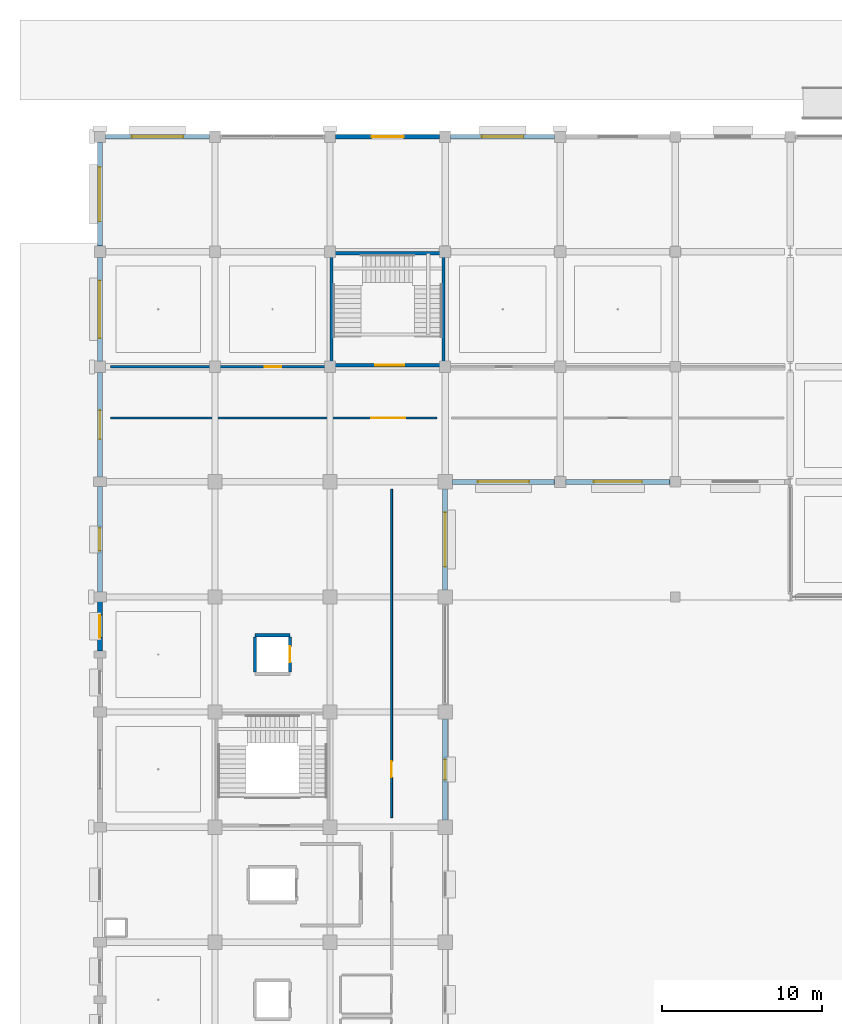
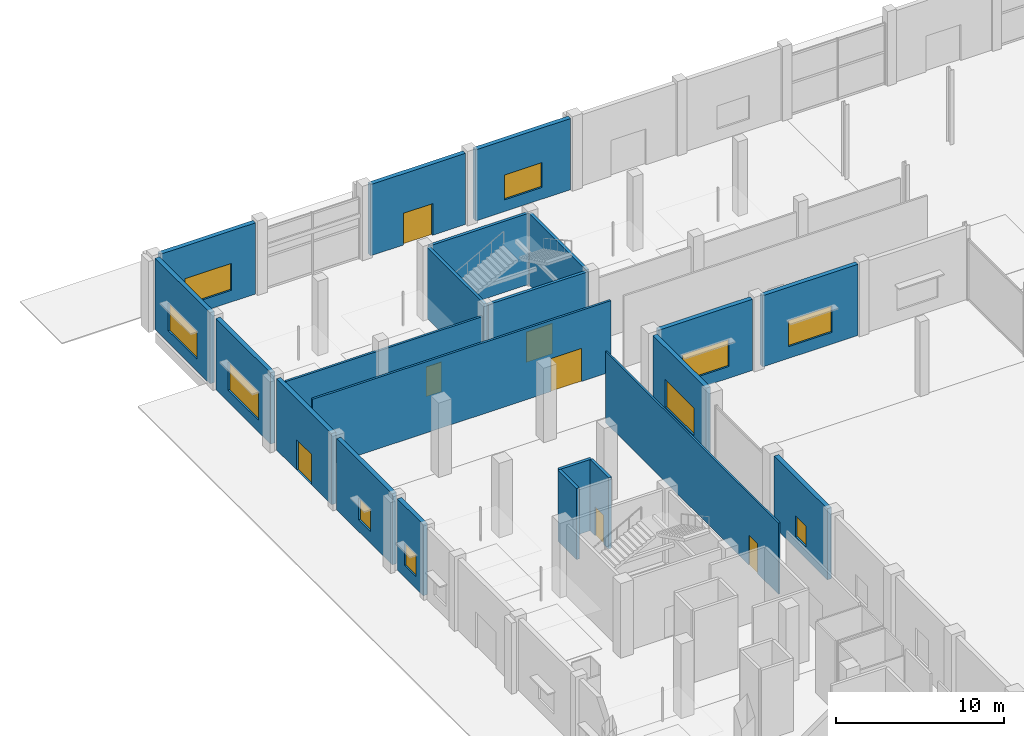
# One storey, part 61 of 90: 22 walls, 10 windows, 7 doors, 17 openings.
"""IFC4 building model written with IfcOpenShell, lengths in metres."""

from ifc_helpers import new_model, si_unit, direction, frame, frame_2d, origin, place, context, subcontext, project, spatial, rectangle, extrude, material, layer, layer_set, type_object, element, fill, save


model = new_model("IFC4")

# Units and contexts
model_context = context("Model", 3, precision=1e-05, world=origin(), true_north=direction((0.0, 1.0)))
body_context = subcontext(model_context, "Body", "Model", "MODEL_VIEW")
ifc_project = project(units=[si_unit("LENGTHUNIT", "METRE"), si_unit("AREAUNIT", "SQUARE_METRE"), si_unit("VOLUMEUNIT", "CUBIC_METRE"), si_unit("PLANEANGLEUNIT", "RADIAN"), si_unit("MASSUNIT", "GRAM", prefix="KILO")], contexts=[model_context])

# Site, building, storey
site_placement = place(None, origin())
site = spatial("IfcSite", under=ifc_project, at=site_placement, CompositionType="ELEMENT")
building_placement = place(site_placement, origin())
building = spatial("IfcBuilding", under=site, at=building_placement, Name="Kangsadwip Square Police Headquarters", CompositionType="ELEMENT")
storey_placement = place(building_placement, origin())
storey = spatial("IfcBuildingStorey", under=building, at=storey_placement, Name="L00", CompositionType="ELEMENT", Elevation=0.0)

# Wall, opening, door
ifc_material_1 = material(Name="Fire-rated double gypsum board acoustic stud partition", Category="masonry")
ifc_layer_1 = layer(ifc_material_1, 0.1201171875)
ifc_layer_set_1 = layer_set([ifc_layer_1], Name="Fire-rated double gypsum board acoustic stud partition")
wall_type_1 = type_object("IfcWallType", Name="AcousticPartition120", PredefinedType="PARTITIONING", material=ifc_layer_set_1)
wall_1_placement = place(storey_placement, frame((18.25, 72.60009765625, 0.0), z_axis=(0.0, 0.0, 1.0), x_axis=(0.0, 1.0, 0.0)))
wall_1 = element("IfcWall", 1, at=wall_1_placement, inside=storey, type_object=wall_type_1, Name="Interior Wall WI-L00-0695", PredefinedType="PARTITIONING", context=body_context, shape_type="SweptSolid", body=[
    extrude(rectangle(XDim=20.5498046875, YDim=0.1201171875, at=frame_2d((10.27490234375, 0.0))), origin(), (0.0, 0.0, 1.0), 5.159912109375),
])
opening_1_placement = place(wall_1_placement, frame((2.50390625, 0.0, 0.0)))
opening_1 = element("IfcOpeningElement", 2, at=opening_1_placement, cuts=wall_1, Name="Opening FD-10C", PredefinedType="OPENING", context=body_context, shape_type="SweptSolid", body=[
    extrude(rectangle(XDim=1.02001953125, YDim=2.14990234375, at=frame_2d((0.510009765625, 1.074951171875))), frame((0.0, 0.070068359375, 0.0), z_axis=(0.0, -1.0, 0.0), x_axis=(1.0, 0.0, 0.0)), (0.0, 0.0, 1.0), 0.14013671875),
])
ifc_material_2 = material(Name="Insulated galvanized steel fire-rated door assembly", Category="steel")
door_type_1 = type_object("IfcDoorType", Name="LabSingleDoor1020x2150", OperationType="NOTDEFINED", PredefinedType="DOOR", material=ifc_material_2)
door_1_placement = place(opening_1_placement, origin())
door_1 = element("IfcDoor", 3, at=door_1_placement, inside=storey, type_object=door_type_1, Name="Interior Door ID-L00-0144", OperationType="SINGLE_SWING_RIGHT", OverallHeight=2.14990234375, OverallWidth=1.02001953125, PredefinedType="DOOR", context=body_context, shape_type="SweptSolid", body=[
    extrude(rectangle(XDim=1.02001953125, YDim=2.14990234375, at=frame_2d((0.510009765625, 1.074951171875))), frame((0.0, 0.02490234375, 0.0), z_axis=(0.0, -1.0, 0.0), x_axis=(1.0, 0.0, 0.0)), (0.0, 0.0, 1.0), 0.050048828125),
])
fill(opening_1, door_1)

ifc_material_3 = material(Name="Autoclaved aerated concrete blockwork masonry", Category="masonry")
ifc_layer_2 = layer(ifc_material_3, 0.14990234375)
ifc_layer_set_2 = layer_set([ifc_layer_2], Name="Autoclaved aerated concrete blockwork masonry")
wall_type_2 = type_object("IfcWallType", Name="BlockPartition150", PredefinedType="PARTITIONING", material=ifc_layer_set_2)
wall_2_placement = place(storey_placement, frame((0.64990234375, 100.800048828125, 0.0), z_axis=(0.0, 0.0, 1.0), x_axis=(1.0, 0.0, 0.0)))
wall_2 = element("IfcWall", 4, at=wall_2_placement, inside=storey, type_object=wall_type_2, Name="Interior Wall WI-L00-0682", PredefinedType="PARTITIONING", context=body_context, shape_type="SweptSolid", body=[
    extrude(rectangle(XDim=13.5, YDim=0.14990234375, at=frame_2d((6.75, 0.0))), origin(), (0.0, 0.0, 1.0), 4.5),
])
opening_2_placement = place(wall_2_placement, frame((9.656982421875, 0.0, 0.0)))
opening_2 = element("IfcOpeningElement", 5, at=opening_2_placement, cuts=wall_2, Name="Opening ID-10A", PredefinedType="OPENING", context=body_context, shape_type="SweptSolid", body=[
    extrude(rectangle(XDim=1.050048828125, YDim=2.14990234375, at=frame_2d((0.52490234375, 1.074951171875))), frame((0.0, 0.0849609375, 0.0), z_axis=(0.0, -1.0, 0.0), x_axis=(1.0, 0.0, 0.0)), (0.0, 0.0, 1.0), 0.169921875),
])
ifc_material_4 = material(Name="Solid-core seasoned teak hardwood architectural door", Category="wood")
door_type_2 = type_object("IfcDoorType", Name="OfficeDoor1050x2150", OperationType="NOTDEFINED", PredefinedType="DOOR", material=ifc_material_4)
door_2_placement = place(opening_2_placement, origin())
door_2 = element("IfcDoor", 6, at=door_2_placement, inside=storey, type_object=door_type_2, Name="Interior Door ID-L00-0133", OperationType="SINGLE_SWING_LEFT", OverallHeight=2.14990234375, OverallWidth=1.050048828125, PredefinedType="DOOR", context=body_context, shape_type="SweptSolid", body=[
    extrude(rectangle(XDim=1.050048828125, YDim=2.14990234375, at=frame_2d((0.52490234375, 1.074951171875))), frame((0.0, 0.02490234375, 0.0), z_axis=(0.0, -1.0, 0.0), x_axis=(1.0, 0.0, 0.0)), (0.0, 0.0, 1.0), 0.050048828125),
])
fill(opening_2, door_2)

wall_3_placement = place(storey_placement, frame((0.64990234375, 97.60009765625, 0.0), z_axis=(0.0, 0.0, 1.0), x_axis=(1.0, 0.0, 0.0)))
wall_3 = element("IfcWall", 7, at=wall_3_placement, inside=storey, type_object=wall_type_2, Name="Interior Wall WI-L00-0684", PredefinedType="PARTITIONING", context=body_context, shape_type="SweptSolid", body=[
    extrude(rectangle(XDim=20.4501953125, YDim=0.14990234375, at=frame_2d((10.22509765625, 0.0))), origin(), (0.0, 0.0, 1.0), 5.159912109375),
])
opening_3_placement = place(wall_3_placement, frame((16.340087890625, 0.0, 0.0)))
opening_3 = element("IfcOpeningElement", 8, at=opening_3_placement, cuts=wall_3, Name="Opening ID-21", PredefinedType="OPENING", context=body_context, shape_type="SweptSolid", body=[
    extrude(rectangle(XDim=2.10009765625, YDim=2.39990234375, at=frame_2d((1.050048828125, 1.199951171875))), frame((0.0, 0.0849609375, 0.0), z_axis=(0.0, -1.0, 0.0), x_axis=(1.0, 0.0, 0.0)), (0.0, 0.0, 1.0), 0.169921875),
])
ifc_material_5 = material(Name="Solid-core seasoned teak hardwood architectural door", Category="wood")
door_type_3 = type_object("IfcDoorType", Name="HallDoubleDoor2100x2400", OperationType="DOUBLE_DOOR_SINGLE_SWING", PredefinedType="DOOR", material=ifc_material_5)
door_3_placement = place(opening_3_placement, origin())
door_3 = element("IfcDoor", 9, at=door_3_placement, inside=storey, type_object=door_type_3, Name="Interior Door ID-L00-0135", OperationType="DOUBLE_DOOR_SINGLE_SWING", OverallHeight=2.39990234375, OverallWidth=2.10009765625, PredefinedType="DOOR", context=body_context, shape_type="SweptSolid", body=[
    extrude(rectangle(XDim=2.10009765625, YDim=2.39990234375, at=frame_2d((1.050048828125, 1.199951171875))), frame((0.0, 0.02490234375, 0.0), z_axis=(0.0, -1.0, 0.0), x_axis=(1.0, 0.0, 0.0)), (0.0, 0.0, 1.0), 0.050048828125),
])
fill(opening_3, door_3)

ifc_material_6 = material(Name="Concrete M40 (40 MPa)", Category="concrete")
ifc_layer_3 = layer(ifc_material_6, 0.199951171875)
ifc_layer_set_3 = layer_set([ifc_layer_3], Name="Concrete M40 (40 MPa)")
wall_type_3 = type_object("IfcWallType", Name="CoreShearWall200", PredefinedType="SHEAR", material=ifc_layer_set_3)
wall_4_placement = place(storey_placement, frame((14.60009765625, 100.89990234375, 0.0), z_axis=(0.0, 0.0, 1.0), x_axis=(1.0, 0.0, 0.0)))
wall_4 = element("IfcWall", 10, at=wall_4_placement, inside=storey, type_object=wall_type_3, Name="Interior Wall WI-L00-0201", PredefinedType="SHEAR", context=body_context, shape_type="SweptSolid", body=[
    extrude(rectangle(XDim=6.7998046875, YDim=0.199951171875, at=frame_2d((3.39990234375, 0.0))), origin(), (0.0, 0.0, 1.0), 5.159912109375),
])
opening_4_placement = place(wall_4_placement, frame((2.632080078125, 0.0, 0.0)))
opening_4 = element("IfcOpeningElement", 11, at=opening_4_placement, cuts=wall_4, Name="Opening FD-18", PredefinedType="OPENING", context=body_context, shape_type="SweptSolid", body=[
    extrude(rectangle(XDim=1.800048828125, YDim=2.199951171875, at=frame_2d((0.89990234375, 1.10009765625))), frame((0.0, 0.10986328125, 0.0), z_axis=(0.0, -1.0, 0.0), x_axis=(1.0, 0.0, 0.0)), (0.0, 0.0, 1.0), 0.219970703125),
])
ifc_material_7 = material(Name="Insulated galvanized steel fire-rated door assembly", Category="steel")
door_type_4 = type_object("IfcDoorType", Name="StairFireDoor1800x2200", OperationType="DOUBLE_DOOR_SINGLE_SWING", PredefinedType="DOOR", material=ifc_material_7)
door_4_placement = place(opening_4_placement, origin())
door_4 = element("IfcDoor", 12, at=door_4_placement, inside=storey, type_object=door_type_4, Name="Interior Door ID-L00-0046", OperationType="DOUBLE_DOOR_SINGLE_SWING", OverallHeight=2.199951171875, OverallWidth=1.800048828125, PredefinedType="DOOR", context=body_context, shape_type="SweptSolid", body=[
    extrude(rectangle(XDim=1.800048828125, YDim=2.199951171875, at=frame_2d((0.89990234375, 1.10009765625))), frame((0.0, 0.02490234375, 0.0), z_axis=(0.0, -1.0, 0.0), x_axis=(1.0, 0.0, 0.0)), (0.0, 0.0, 1.0), 0.050048828125),
])
fill(opening_4, door_4)

# Walls
wall_5_placement = place(storey_placement, frame((14.60009765625, 107.89990234375, 0.0), z_axis=(0.0, 0.0, 1.0), x_axis=(1.0, 0.0, 0.0)))
element("IfcWall", 13, at=wall_5_placement, inside=storey, type_object=wall_type_3, Name="Interior Wall WI-L00-0202", PredefinedType="SHEAR", context=body_context, shape_type="SweptSolid", body=[
    extrude(rectangle(XDim=6.7998046875, YDim=0.199951171875, at=frame_2d((3.39990234375, 0.0))), origin(), (0.0, 0.0, 1.0), 5.159912109375),
])
for number, where, z_axis, x_axis, name in (
    (14, (14.5, 101.0, 0.0), (0.0, 0.0, 1.0), (0.0, 1.0, 0.0), "Interior Wall WI-L00-0203"),
    (15, (21.5, 101.0, 0.0), (0.0, 0.0, 1.0), (0.0, 1.0, 0.0), "Interior Wall WI-L00-0204"),
):
    element("IfcWall", number, at=place(storey_placement, frame(where, z_axis=z_axis, x_axis=x_axis)), inside=storey, type_object=wall_type_3, Name=name, PredefinedType="SHEAR", context=body_context, shape_type="SweptSolid", body=[
        extrude(rectangle(XDim=6.800048828125, YDim=0.199951171875, at=frame_2d((3.39990234375, 0.0))), origin(), (0.0, 0.0, 1.0), 5.159912109375),
    ])
for number, where, z_axis, x_axis, name in (
    (16, (9.699951171875, 84.0, 0.0), (0.0, 0.0, 1.0), (1.0, 0.0, 0.0), "Interior Wall WI-L00-0392"),
    (17, (9.699951171875, 81.699951171875, 0.0), (0.0, 0.0, 1.0), (0.0, 1.0, 0.0), "Interior Wall WI-L00-0393"),
):
    element("IfcWall", number, at=place(storey_placement, frame(where, z_axis=z_axis, x_axis=x_axis)), inside=storey, type_object=wall_type_3, Name=name, PredefinedType="SHEAR", context=body_context, shape_type="SweptSolid", body=[
        extrude(rectangle(XDim=2.199951171875, YDim=0.199951171875, at=frame_2d((1.10009765625, 0.0))), origin(), (0.0, 0.0, 1.0), 5.159912109375),
    ])

# Wall, opening, door
wall_6_placement = place(storey_placement, frame((11.89990234375, 81.699951171875, 0.0), z_axis=(0.0, 0.0, 1.0), x_axis=(0.0, 1.0, 0.0)))
wall_6 = element("IfcWall", 18, at=wall_6_placement, inside=storey, type_object=wall_type_3, Name="Interior Wall WI-L00-0394", PredefinedType="SHEAR", context=body_context, shape_type="SweptSolid", body=[
    extrude(rectangle(XDim=2.199951171875, YDim=0.199951171875, at=frame_2d((1.10009765625, 0.0))), origin(), (0.0, 0.0, 1.0), 5.159912109375),
])
opening_5_placement = place(wall_6_placement, frame((0.60009765625, 0.0, 0.0)))
opening_5 = element("IfcOpeningElement", 19, at=opening_5_placement, cuts=wall_6, Name="Opening LD-037", PredefinedType="OPENING", context=body_context, shape_type="SweptSolid", body=[
    extrude(rectangle(XDim=1.0, YDim=2.10009765625, at=frame_2d((0.5, 1.050048828125))), frame((0.0, 0.10986328125, 0.0), z_axis=(0.0, -1.0, 0.0), x_axis=(1.0, 0.0, 0.0)), (0.0, 0.0, 1.0), 0.219970703125),
])
ifc_material_8 = material(Name="Brushed stainless steel automatic sliding lift landing door", Category="steel")
door_type_5 = type_object("IfcDoorType", Name="LiftLandingDoor1000x2100", OperationType="DOUBLE_DOOR_SLIDING", PredefinedType="DOOR", material=ifc_material_8)
door_5_placement = place(opening_5_placement, origin())
door_5 = element("IfcDoor", 20, at=door_5_placement, inside=storey, type_object=door_type_5, Name="Interior Door LD-037", OperationType="DOUBLE_DOOR_SLIDING", OverallHeight=2.10009765625, OverallWidth=1.0, PredefinedType="DOOR", context=body_context, shape_type="SweptSolid", body=[
    extrude(rectangle(XDim=1.0, YDim=2.10009765625, at=frame_2d((0.5, 1.050048828125))), frame((0.0, 0.02490234375, 0.0), z_axis=(0.0, -1.0, 0.0), x_axis=(1.0, 0.0, 0.0)), (0.0, 0.0, 1.0), 0.050048828125),
])
fill(opening_5, door_5)

# Wall, opening, window
ifc_material_9 = material(Name="Glazed architectural terracotta masonry rainscreen", Category="masonry")
ifc_layer_4 = layer(ifc_material_9, 0.300048828125)
ifc_layer_set_4 = layer_set([ifc_layer_4], Name="Glazed architectural terracotta masonry rainscreen")
wall_type_4 = type_object("IfcWallType", Name="PlinthArcadeWall300", PredefinedType="SOLIDWALL", material=ifc_layer_set_4)
wall_7_placement = place(storey_placement, frame((22.044921875, 93.60009765625, 0.0), z_axis=(0.0, 0.0, 1.0), x_axis=(1.0, 0.0, 0.0)))
wall_7 = element("IfcWall", 21, at=wall_7_placement, inside=storey, type_object=wall_type_4, Name="Exterior Wall WE-L00-148", PredefinedType="SOLIDWALL", context=body_context, shape_type="SweptSolid", body=[
    extrude(rectangle(XDim=6.41015625, YDim=0.300048828125, at=frame_2d((3.205078125, 0.0))), origin(), (0.0, 0.0, 1.0), 5.159912109375),
])
opening_6_placement = place(wall_7_placement, frame((1.60498046875, 0.0, 0.85009765625)))
opening_6 = element("IfcOpeningElement", 22, at=opening_6_placement, cuts=wall_7, Name="Opening WN-03", PredefinedType="OPENING", context=body_context, shape_type="SweptSolid", body=[
    extrude(rectangle(XDim=3.199951171875, YDim=1.949951171875, at=frame_2d((1.60009765625, 0.97509765625))), frame((0.0, 0.159912109375, 0.0), z_axis=(0.0, -1.0, 0.0), x_axis=(1.0, 0.0, 0.0)), (0.0, 0.0, 1.0), 0.320068359375),
])
ifc_material_10 = material(Name="Double-glazed solar-control low-E safety glass", Category="glass")
window_type_1 = type_object("IfcWindowType", Name="ChicagoTripartiteWin3200x1950", PartitioningType="TRIPLE_PANEL_HORIZONTAL", PredefinedType="WINDOW", material=ifc_material_10)
window_1_placement = place(opening_6_placement, origin())
window_1 = element("IfcWindow", 23, at=window_1_placement, inside=storey, type_object=window_type_1, Name="Window WN-L00-0016", OverallHeight=1.949951171875, OverallWidth=3.199951171875, PartitioningType="SINGLE_PANEL", PredefinedType="WINDOW", context=body_context, shape_type="SweptSolid", body=[
    extrude(rectangle(XDim=3.199951171875, YDim=1.949951171875, at=frame_2d((1.60009765625, 0.97509765625))), frame((0.0, 0.030029296875, 0.0), z_axis=(0.0, -1.0, 0.0), x_axis=(1.0, 0.0, 0.0)), (0.0, 0.0, 1.0), 0.06005859375),
])
fill(opening_6, window_1)

wall_8_placement = place(storey_placement, frame((29.14501953125, 93.60009765625, 0.0), z_axis=(0.0, 0.0, 1.0), x_axis=(1.0, 0.0, 0.0)))
wall_8 = element("IfcWall", 24, at=wall_8_placement, inside=storey, type_object=wall_type_4, Name="Exterior Wall WE-L00-149", PredefinedType="SOLIDWALL", context=body_context, shape_type="SweptSolid", body=[
    extrude(rectangle(XDim=6.534912109375, YDim=0.300048828125, at=frame_2d((3.267578125, 0.0))), origin(), (0.0, 0.0, 1.0), 5.159912109375),
])
opening_7_placement = place(wall_8_placement, frame((1.767578125, 0.0, 0.85009765625)))
opening_7 = element("IfcOpeningElement", 25, at=opening_7_placement, cuts=wall_8, Name="Opening WN-04", PredefinedType="OPENING", context=body_context, shape_type="SweptSolid", body=[
    extrude(rectangle(XDim=3.0, YDim=1.89990234375, at=frame_2d((1.5, 0.949951171875))), frame((0.0, 0.159912109375, 0.0), z_axis=(0.0, -1.0, 0.0), x_axis=(1.0, 0.0, 0.0)), (0.0, 0.0, 1.0), 0.320068359375),
])
ifc_material_11 = material(Name="Double-glazed solar-control low-E safety glass", Category="glass")
window_type_2 = type_object("IfcWindowType", Name="ChicagoTripartiteWin3000x1900", PartitioningType="TRIPLE_PANEL_HORIZONTAL", PredefinedType="WINDOW", material=ifc_material_11)
window_2_placement = place(opening_7_placement, origin())
window_2 = element("IfcWindow", 26, at=window_2_placement, inside=storey, type_object=window_type_2, Name="Window WN-L00-0017", OverallHeight=1.89990234375, OverallWidth=3.0, PartitioningType="SINGLE_PANEL", PredefinedType="WINDOW", context=body_context, shape_type="SweptSolid", body=[
    extrude(rectangle(XDim=3.0, YDim=1.89990234375, at=frame_2d((1.5, 0.949951171875))), frame((0.0, 0.030029296875, 0.0), z_axis=(0.0, -1.0, 0.0), x_axis=(1.0, 0.0, 0.0)), (0.0, 0.0, 1.0), 0.06005859375),
])
fill(opening_7, window_2)

wall_9_placement = place(storey_placement, frame((0.344970703125, 115.199951171875, 0.0), z_axis=(0.0, 0.0, 1.0), x_axis=(1.0, 0.0, 0.0)))
wall_9 = element("IfcWall", 27, at=wall_9_placement, inside=storey, type_object=wall_type_4, Name="Exterior Wall WE-L00-151", PredefinedType="SOLIDWALL", context=body_context, shape_type="SweptSolid", body=[
    extrude(rectangle(XDim=6.510009765625, YDim=0.300048828125, at=frame_2d((3.2548828125, 0.0))), origin(), (0.0, 0.0, 1.0), 5.159912109375),
])
opening_8_placement = place(wall_9_placement, frame((1.655029296875, 0.0, 0.85009765625)))
opening_8 = element("IfcOpeningElement", 28, at=opening_8_placement, cuts=wall_9, Name="Opening WN-03", PredefinedType="OPENING", context=body_context, shape_type="SweptSolid", body=[
    extrude(rectangle(XDim=3.199951171875, YDim=1.949951171875, at=frame_2d((1.60009765625, 0.97509765625))), frame((0.0, 0.159912109375, 0.0), z_axis=(0.0, -1.0, 0.0), x_axis=(1.0, 0.0, 0.0)), (0.0, 0.0, 1.0), 0.320068359375),
])
window_3_placement = place(opening_8_placement, origin())
window_3 = element("IfcWindow", 29, at=window_3_placement, inside=storey, type_object=window_type_1, Name="Window WN-L00-0019", OverallHeight=1.949951171875, OverallWidth=3.199951171875, PartitioningType="SINGLE_PANEL", PredefinedType="WINDOW", context=body_context, shape_type="SweptSolid", body=[
    extrude(rectangle(XDim=3.199951171875, YDim=1.949951171875, at=frame_2d((1.60009765625, 0.97509765625))), frame((0.0, 0.030029296875, 0.0), z_axis=(0.0, -1.0, 0.0), x_axis=(1.0, 0.0, 0.0)), (0.0, 0.0, 1.0), 0.06005859375),
])
fill(opening_8, window_3)

# Wall, opening, door
wall_10_placement = place(storey_placement, frame((14.7451171875, 115.199951171875, 0.0), z_axis=(0.0, 0.0, 1.0), x_axis=(1.0, 0.0, 0.0)))
wall_10 = element("IfcWall", 30, at=wall_10_placement, inside=storey, type_object=wall_type_4, Name="Exterior Wall WE-L00-152", PredefinedType="SOLIDWALL", context=body_context, shape_type="SweptSolid", body=[
    extrude(rectangle(XDim=6.509765625, YDim=0.300048828125, at=frame_2d((3.2548828125, 0.0))), origin(), (0.0, 0.0, 1.0), 5.159912109375),
])
opening_9_placement = place(wall_10_placement, frame((2.2548828125, 0.0, 0.0)))
opening_9 = element("IfcOpeningElement", 31, at=opening_9_placement, cuts=wall_10, Name="Opening ED-07", PredefinedType="OPENING", context=body_context, shape_type="SweptSolid", body=[
    extrude(rectangle(XDim=2.0, YDim=2.300048828125, at=frame_2d((1.0, 1.14990234375))), frame((0.0, 0.159912109375, 0.0), z_axis=(0.0, -1.0, 0.0), x_axis=(1.0, 0.0, 0.0)), (0.0, 0.0, 1.0), 0.320068359375),
])
ifc_material_12 = material(Name="Galvanized hollow-metal architectural steel door assembly", Category="steel")
door_type_6 = type_object("IfcDoorType", Name="FinalExitDoubleDoor2000x2300", OperationType="DOUBLE_DOOR_SINGLE_SWING", PredefinedType="DOOR", material=ifc_material_12)
door_6_placement = place(opening_9_placement, origin())
door_6 = element("IfcDoor", 32, at=door_6_placement, inside=storey, type_object=door_type_6, Name="Exterior Door ED-07", OperationType="DOUBLE_DOOR_SINGLE_SWING", OverallHeight=2.300048828125, OverallWidth=2.0, PredefinedType="DOOR", context=body_context, shape_type="SweptSolid", body=[
    extrude(rectangle(XDim=2.0, YDim=2.300048828125, at=frame_2d((1.0, 1.14990234375))), frame((0.0, 0.02490234375, 0.0), z_axis=(0.0, -1.0, 0.0), x_axis=(1.0, 0.0, 0.0)), (0.0, 0.0, 1.0), 0.050048828125),
])
fill(opening_9, door_6)

# Wall, opening, window
wall_11_placement = place(storey_placement, frame((21.945068359375, 115.199951171875, 0.0), z_axis=(0.0, 0.0, 1.0), x_axis=(1.0, 0.0, 0.0)))
wall_11 = element("IfcWall", 33, at=wall_11_placement, inside=storey, type_object=wall_type_4, Name="Exterior Wall WE-L00-153", PredefinedType="SOLIDWALL", context=body_context, shape_type="SweptSolid", body=[
    extrude(rectangle(XDim=6.510009765625, YDim=0.300048828125, at=frame_2d((3.2548828125, 0.0))), origin(), (0.0, 0.0, 1.0), 5.159912109375),
])
opening_10_placement = place(wall_11_placement, frame((1.955078125, 0.0, 0.85009765625)))
opening_10 = element("IfcOpeningElement", 34, at=opening_10_placement, cuts=wall_11, Name="Opening WN-06", PredefinedType="OPENING", context=body_context, shape_type="SweptSolid", body=[
    extrude(rectangle(XDim=2.60009765625, YDim=1.800048828125, at=frame_2d((1.300048828125, 0.89990234375))), frame((0.0, 0.159912109375, 0.0), z_axis=(0.0, -1.0, 0.0), x_axis=(1.0, 0.0, 0.0)), (0.0, 0.0, 1.0), 0.320068359375),
])
ifc_material_13 = material(Name="Double-glazed solar-control low-E safety glass", Category="glass")
window_type_3 = type_object("IfcWindowType", Name="ChicagoDoubleMullWin2600x1800", PartitioningType="DOUBLE_PANEL_VERTICAL", PredefinedType="WINDOW", material=ifc_material_13)
window_4_placement = place(opening_10_placement, origin())
window_4 = element("IfcWindow", 35, at=window_4_placement, inside=storey, type_object=window_type_3, Name="Window WN-L00-0020", OverallHeight=1.800048828125, OverallWidth=2.60009765625, PartitioningType="SINGLE_PANEL", PredefinedType="WINDOW", context=body_context, shape_type="SweptSolid", body=[
    extrude(rectangle(XDim=2.60009765625, YDim=1.800048828125, at=frame_2d((1.300048828125, 0.89990234375))), frame((0.0, 0.030029296875, 0.0), z_axis=(0.0, -1.0, 0.0), x_axis=(1.0, 0.0, 0.0)), (0.0, 0.0, 1.0), 0.06005859375),
])
fill(opening_10, window_4)

wall_12_placement = place(storey_placement, frame((0.0, 83.02001953125, 0.0), z_axis=(0.0, 0.0, 1.0), x_axis=(0.0, 1.0, 0.0)))
wall_12 = element("IfcWall", 36, at=wall_12_placement, inside=storey, type_object=wall_type_4, Name="Exterior Wall WE-L00-177", PredefinedType="SOLIDWALL", context=body_context, shape_type="SweptSolid", body=[
    extrude(rectangle(XDim=3.0849609375, YDim=0.300048828125, at=frame_2d((1.54248046875, 0.0))), origin(), (0.0, 0.0, 1.0), 5.159912109375),
])
opening_11_placement = place(wall_12_placement, frame((0.842529296875, 0.0, 0.85009765625)))
opening_11 = element("IfcOpeningElement", 37, at=opening_11_placement, cuts=wall_12, Name="Opening WN-13", PredefinedType="OPENING", context=body_context, shape_type="SweptSolid", body=[
    extrude(rectangle(XDim=1.39990234375, YDim=1.60009765625, at=frame_2d((0.699951171875, 0.800048828125))), frame((0.0, 0.159912109375, 0.0), z_axis=(0.0, -1.0, 0.0), x_axis=(1.0, 0.0, 0.0)), (0.0, 0.0, 1.0), 0.320068359375),
])
ifc_material_14 = material(Name="Double-glazed solar-control low-E safety glass", Category="glass")
window_type_4 = type_object("IfcWindowType", Name="OfficeCasementWin1400x1600", PartitioningType="SINGLE_PANEL", PredefinedType="WINDOW", material=ifc_material_14)
window_5_placement = place(opening_11_placement, origin())
window_5 = element("IfcWindow", 38, at=window_5_placement, inside=storey, type_object=window_type_4, Name="Window WN-L00-0034", OverallHeight=1.60009765625, OverallWidth=1.39990234375, PartitioningType="SINGLE_PANEL", PredefinedType="WINDOW", context=body_context, shape_type="SweptSolid", body=[
    extrude(rectangle(XDim=1.39990234375, YDim=1.60009765625, at=frame_2d((0.699951171875, 0.800048828125))), frame((0.0, 0.030029296875, 0.0), z_axis=(0.0, -1.0, 0.0), x_axis=(1.0, 0.0, 0.0)), (0.0, 0.0, 1.0), 0.06005859375),
])
fill(opening_11, window_5)

wall_13_placement = place(storey_placement, frame((0.0, 86.695068359375, 0.0), z_axis=(0.0, 0.0, 1.0), x_axis=(0.0, 1.0, 0.0)))
wall_13 = element("IfcWall", 39, at=wall_13_placement, inside=storey, type_object=wall_type_4, Name="Exterior Wall WE-L00-178", PredefinedType="SOLIDWALL", context=body_context, shape_type="SweptSolid", body=[
    extrude(rectangle(XDim=6.60986328125, YDim=0.300048828125, at=frame_2d((3.304931640625, 0.0))), origin(), (0.0, 0.0, 1.0), 5.159912109375),
])
opening_12_placement = place(wall_13_placement, frame((2.60498046875, 0.0, 0.85009765625)))
opening_12 = element("IfcOpeningElement", 40, at=opening_12_placement, cuts=wall_13, Name="Opening WN-13", PredefinedType="OPENING", context=body_context, shape_type="SweptSolid", body=[
    extrude(rectangle(XDim=1.39990234375, YDim=1.60009765625, at=frame_2d((0.699951171875, 0.800048828125))), frame((0.0, 0.159912109375, 0.0), z_axis=(0.0, -1.0, 0.0), x_axis=(1.0, 0.0, 0.0)), (0.0, 0.0, 1.0), 0.320068359375),
])
window_6_placement = place(opening_12_placement, origin())
window_6 = element("IfcWindow", 41, at=window_6_placement, inside=storey, type_object=window_type_4, Name="Window WN-L00-0035", OverallHeight=1.60009765625, OverallWidth=1.39990234375, PartitioningType="SINGLE_PANEL", PredefinedType="WINDOW", context=body_context, shape_type="SweptSolid", body=[
    extrude(rectangle(XDim=1.39990234375, YDim=1.60009765625, at=frame_2d((0.699951171875, 0.800048828125))), frame((0.0, 0.030029296875, 0.0), z_axis=(0.0, -1.0, 0.0), x_axis=(1.0, 0.0, 0.0)), (0.0, 0.0, 1.0), 0.06005859375),
])
fill(opening_12, window_6)

# Wall, opening, door
wall_14_placement = place(storey_placement, frame((0.0, 93.89501953125, 0.0), z_axis=(0.0, 0.0, 1.0), x_axis=(0.0, 1.0, 0.0)))
wall_14 = element("IfcWall", 42, at=wall_14_placement, inside=storey, type_object=wall_type_4, Name="Exterior Wall WE-L00-179", PredefinedType="SOLIDWALL", context=body_context, shape_type="SweptSolid", body=[
    extrude(rectangle(XDim=6.56005859375, YDim=0.300048828125, at=frame_2d((3.280029296875, 0.0))), origin(), (0.0, 0.0, 1.0), 5.159912109375),
])
opening_13_placement = place(wall_14_placement, frame((2.3798828125, 0.0, 0.0)))
opening_13 = element("IfcOpeningElement", 43, at=opening_13_placement, cuts=wall_14, Name="Opening ED-16", PredefinedType="OPENING", context=body_context, shape_type="SweptSolid", body=[
    extrude(rectangle(XDim=1.800048828125, YDim=2.199951171875, at=frame_2d((0.89990234375, 1.10009765625))), frame((0.0, 0.159912109375, 0.0), z_axis=(0.0, -1.0, 0.0), x_axis=(1.0, 0.0, 0.0)), (0.0, 0.0, 1.0), 0.320068359375),
])
ifc_material_15 = material(Name="Galvanized hollow-metal architectural steel door assembly", Category="steel")
door_type_7 = type_object("IfcDoorType", Name="FinalExitDoubleDoor1800x2200", OperationType="DOUBLE_DOOR_SINGLE_SWING", PredefinedType="DOOR", material=ifc_material_15)
door_7_placement = place(opening_13_placement, origin())
door_7 = element("IfcDoor", 44, at=door_7_placement, inside=storey, type_object=door_type_7, Name="Exterior Door ED-16", OperationType="DOUBLE_DOOR_SINGLE_SWING", OverallHeight=2.199951171875, OverallWidth=1.800048828125, PredefinedType="DOOR", context=body_context, shape_type="SweptSolid", body=[
    extrude(rectangle(XDim=1.800048828125, YDim=2.199951171875, at=frame_2d((0.89990234375, 1.10009765625))), frame((0.0, 0.02490234375, 0.0), z_axis=(0.0, -1.0, 0.0), x_axis=(1.0, 0.0, 0.0)), (0.0, 0.0, 1.0), 0.050048828125),
])
fill(opening_13, door_7)

# Wall, opening, window
wall_15_placement = place(storey_placement, frame((0.0, 101.14501953125, 0.0), z_axis=(0.0, 0.0, 1.0), x_axis=(0.0, 1.0, 0.0)))
wall_15 = element("IfcWall", 45, at=wall_15_placement, inside=storey, type_object=wall_type_4, Name="Exterior Wall WE-L00-180", PredefinedType="SOLIDWALL", context=body_context, shape_type="SweptSolid", body=[
    extrude(rectangle(XDim=6.510009765625, YDim=0.300048828125, at=frame_2d((3.2548828125, 0.0))), origin(), (0.0, 0.0, 1.0), 5.159912109375),
])
opening_14_placement = place(wall_15_placement, frame((1.455078125, 0.0, 0.85009765625)))
opening_14 = element("IfcOpeningElement", 46, at=opening_14_placement, cuts=wall_15, Name="Opening WN-01", PredefinedType="OPENING", context=body_context, shape_type="SweptSolid", body=[
    extrude(rectangle(XDim=3.60009765625, YDim=2.050048828125, at=frame_2d((1.800048828125, 1.02490234375))), frame((0.0, 0.159912109375, 0.0), z_axis=(0.0, -1.0, 0.0), x_axis=(1.0, 0.0, 0.0)), (0.0, 0.0, 1.0), 0.320068359375),
])
ifc_material_16 = material(Name="Double-glazed solar-control low-E safety glass", Category="glass")
window_type_5 = type_object("IfcWindowType", Name="ChicagoTripartiteWin3600x2050", PartitioningType="TRIPLE_PANEL_HORIZONTAL", PredefinedType="WINDOW", material=ifc_material_16)
window_7_placement = place(opening_14_placement, origin())
window_7 = element("IfcWindow", 47, at=window_7_placement, inside=storey, type_object=window_type_5, Name="Window WN-L00-0036", OverallHeight=2.050048828125, OverallWidth=3.60009765625, PartitioningType="SINGLE_PANEL", PredefinedType="WINDOW", context=body_context, shape_type="SweptSolid", body=[
    extrude(rectangle(XDim=3.60009765625, YDim=2.050048828125, at=frame_2d((1.800048828125, 1.02490234375))), frame((0.0, 0.030029296875, 0.0), z_axis=(0.0, -1.0, 0.0), x_axis=(1.0, 0.0, 0.0)), (0.0, 0.0, 1.0), 0.06005859375),
])
fill(opening_14, window_7)

wall_16_placement = place(storey_placement, frame((0.0, 108.344970703125, 0.0), z_axis=(0.0, 0.0, 1.0), x_axis=(0.0, 1.0, 0.0)))
wall_16 = element("IfcWall", 48, at=wall_16_placement, inside=storey, type_object=wall_type_4, Name="Exterior Wall WE-L00-181", PredefinedType="SOLIDWALL", context=body_context, shape_type="SweptSolid", body=[
    extrude(rectangle(XDim=6.510009765625, YDim=0.300048828125, at=frame_2d((3.2548828125, 0.0))), origin(), (0.0, 0.0, 1.0), 5.159912109375),
])
opening_15_placement = place(wall_16_placement, frame((1.554931640625, 0.0, 0.85009765625)))
opening_15 = element("IfcOpeningElement", 49, at=opening_15_placement, cuts=wall_16, Name="Opening WN-02", PredefinedType="OPENING", context=body_context, shape_type="SweptSolid", body=[
    extrude(rectangle(XDim=3.39990234375, YDim=2.0, at=frame_2d((1.699951171875, 1.0))), frame((0.0, 0.159912109375, 0.0), z_axis=(0.0, -1.0, 0.0), x_axis=(1.0, 0.0, 0.0)), (0.0, 0.0, 1.0), 0.320068359375),
])
ifc_material_17 = material(Name="Double-glazed solar-control low-E safety glass", Category="glass")
window_type_6 = type_object("IfcWindowType", Name="ChicagoTripartiteWin3400x2000", PartitioningType="TRIPLE_PANEL_HORIZONTAL", PredefinedType="WINDOW", material=ifc_material_17)
window_8_placement = place(opening_15_placement, origin())
window_8 = element("IfcWindow", 50, at=window_8_placement, inside=storey, type_object=window_type_6, Name="Window WN-L00-0037", OverallHeight=2.0, OverallWidth=3.39990234375, PartitioningType="SINGLE_PANEL", PredefinedType="WINDOW", context=body_context, shape_type="SweptSolid", body=[
    extrude(rectangle(XDim=3.39990234375, YDim=2.0, at=frame_2d((1.699951171875, 1.0))), frame((0.0, 0.030029296875, 0.0), z_axis=(0.0, -1.0, 0.0), x_axis=(1.0, 0.0, 0.0)), (0.0, 0.0, 1.0), 0.06005859375),
])
fill(opening_15, window_8)

wall_17_placement = place(storey_placement, frame((21.60009765625, 72.445068359375, 0.0), z_axis=(0.0, 0.0, 1.0), x_axis=(0.0, 1.0, 0.0)))
wall_17 = element("IfcWall", 51, at=wall_17_placement, inside=storey, type_object=wall_type_4, Name="Exterior Wall WE-L00-187", PredefinedType="SOLIDWALL", context=body_context, shape_type="SweptSolid", body=[
    extrude(rectangle(XDim=6.309814453125, YDim=0.300048828125, at=frame_2d((3.15478515625, 0.0))), origin(), (0.0, 0.0, 1.0), 5.159912109375),
])
opening_16_placement = place(wall_17_placement, frame((2.530029296875, 0.0, 0.85009765625)))
opening_16 = element("IfcOpeningElement", 52, at=opening_16_placement, cuts=wall_17, Name="Opening WN-14", PredefinedType="OPENING", context=body_context, shape_type="SweptSolid", body=[
    extrude(rectangle(XDim=1.25, YDim=1.5, at=frame_2d((0.625, 0.75))), frame((0.0, 0.159912109375, 0.0), z_axis=(0.0, -1.0, 0.0), x_axis=(1.0, 0.0, 0.0)), (0.0, 0.0, 1.0), 0.320068359375),
])
ifc_material_18 = material(Name="Double-glazed solar-control low-E safety glass", Category="glass")
window_type_7 = type_object("IfcWindowType", Name="OfficeCasementWin1250x1500", PartitioningType="SINGLE_PANEL", PredefinedType="WINDOW", material=ifc_material_18)
window_9_placement = place(opening_16_placement, origin())
window_9 = element("IfcWindow", 53, at=window_9_placement, inside=storey, type_object=window_type_7, Name="Window WN-L00-0043", OverallHeight=1.5, OverallWidth=1.25, PartitioningType="SINGLE_PANEL", PredefinedType="WINDOW", context=body_context, shape_type="SweptSolid", body=[
    extrude(rectangle(XDim=1.25, YDim=1.5, at=frame_2d((0.625, 0.75))), frame((0.0, 0.030029296875, 0.0), z_axis=(0.0, -1.0, 0.0), x_axis=(1.0, 0.0, 0.0)), (0.0, 0.0, 1.0), 0.06005859375),
])
fill(opening_16, window_9)

wall_18_placement = place(storey_placement, frame((21.60009765625, 86.844970703125, 0.0), z_axis=(0.0, 0.0, 1.0), x_axis=(0.0, 1.0, 0.0)))
wall_18 = element("IfcWall", 54, at=wall_18_placement, inside=storey, type_object=wall_type_4, Name="Exterior Wall WE-L00-188", PredefinedType="SOLIDWALL", context=body_context, shape_type="SweptSolid", body=[
    extrude(rectangle(XDim=6.31005859375, YDim=0.300048828125, at=frame_2d((3.155029296875, 0.0))), origin(), (0.0, 0.0, 1.0), 5.159912109375),
])
opening_17_placement = place(wall_18_placement, frame((1.455078125, 0.0, 0.85009765625)))
opening_17 = element("IfcOpeningElement", 55, at=opening_17_placement, cuts=wall_18, Name="Opening WN-02", PredefinedType="OPENING", context=body_context, shape_type="SweptSolid", body=[
    extrude(rectangle(XDim=3.39990234375, YDim=2.0, at=frame_2d((1.699951171875, 1.0))), frame((0.0, 0.159912109375, 0.0), z_axis=(0.0, -1.0, 0.0), x_axis=(1.0, 0.0, 0.0)), (0.0, 0.0, 1.0), 0.320068359375),
])
window_10_placement = place(opening_17_placement, origin())
window_10 = element("IfcWindow", 56, at=window_10_placement, inside=storey, type_object=window_type_6, Name="Window WN-L00-0044", OverallHeight=2.0, OverallWidth=3.39990234375, PartitioningType="SINGLE_PANEL", PredefinedType="WINDOW", context=body_context, shape_type="SweptSolid", body=[
    extrude(rectangle(XDim=3.39990234375, YDim=2.0, at=frame_2d((1.699951171875, 1.0))), frame((0.0, 0.030029296875, 0.0), z_axis=(0.0, -1.0, 0.0), x_axis=(1.0, 0.0, 0.0)), (0.0, 0.0, 1.0), 0.06005859375),
])
fill(opening_17, window_10)

save(model, "model.ifc")
